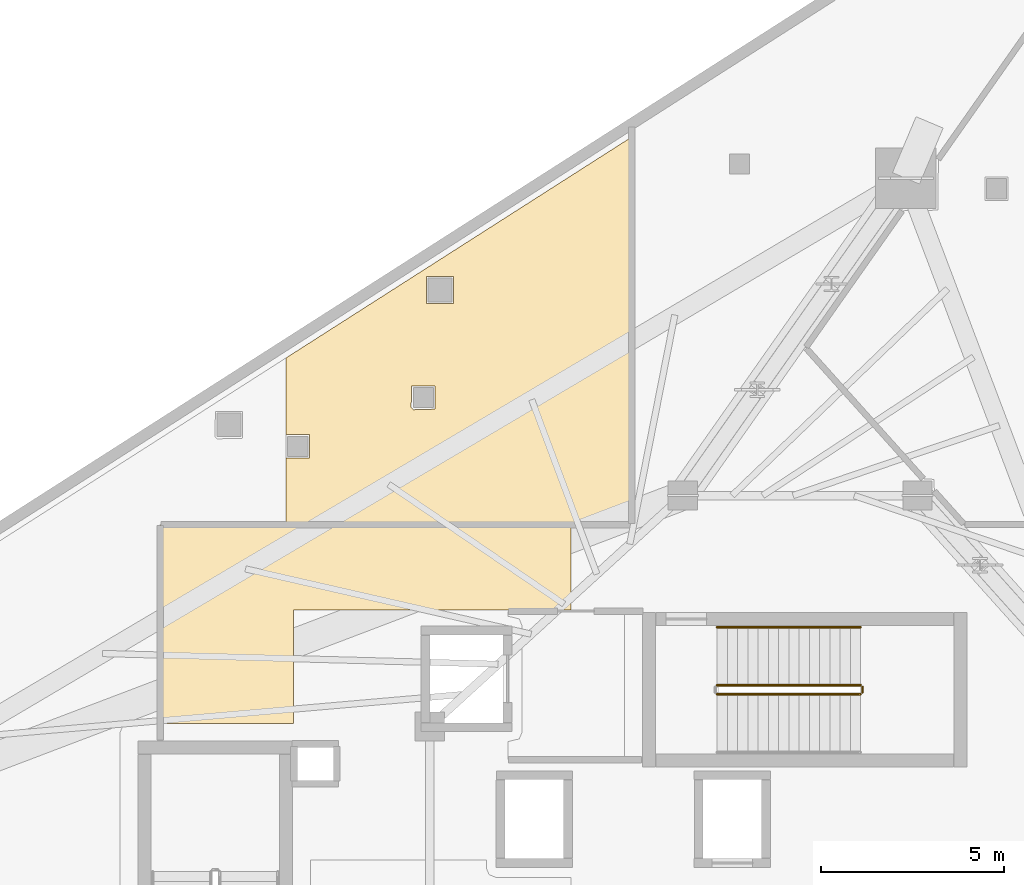
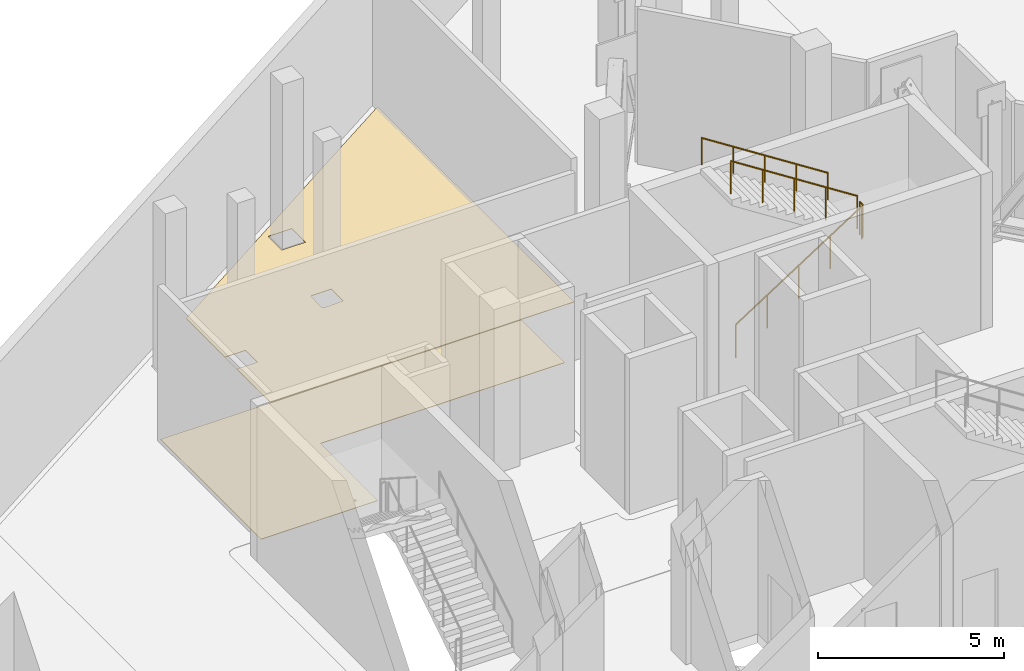
# One storey, part 8 of 9: 4 railings, 2 coverings.
"""IFC4 building model written with IfcOpenShell, lengths in metres."""

from ifc_helpers import new_model, si_unit, direction, frame, origin, origin_2d, place, context, subcontext, project, spatial, polyline, circle, outline, extrude, material, layer, layer_set, type_object, element, save


model = new_model("IFC4")

# Units and contexts
model_context = context("Model", 3, precision=1e-05, world=origin(), true_north=direction((0.0, 1.0)))
body_context = subcontext(model_context, "Body", "Model", "MODEL_VIEW")
ifc_project = project(units=[si_unit("LENGTHUNIT", "METRE"), si_unit("AREAUNIT", "SQUARE_METRE"), si_unit("VOLUMEUNIT", "CUBIC_METRE"), si_unit("PLANEANGLEUNIT", "RADIAN"), si_unit("MASSUNIT", "GRAM", prefix="KILO")], contexts=[model_context])

# Site, building, storey
site_placement = place(None, origin())
site = spatial("IfcSite", under=ifc_project, at=site_placement, CompositionType="ELEMENT")
building_placement = place(site_placement, origin())
building = spatial("IfcBuilding", under=site, at=building_placement, Name="Qorvath Tower", CompositionType="ELEMENT")
storey_placement = place(building_placement, frame((0.0, 0.0, 249.60009765625)))
storey = spatial("IfcBuildingStorey", under=building, at=storey_placement, Name="L58", CompositionType="ELEMENT", Elevation=249.60009765625)

# Coverings
ifc_material_1 = material(Name="Low-VOC modular carpet tile", Category="textile")
ifc_layer_1 = layer(ifc_material_1, 0.014892578125)
ifc_layer_set_1 = layer_set([ifc_layer_1], Name="COV-FLOOR-CPT")
covering_type_1 = type_object("IfcCoveringType", Name="COV-FLOOR-CPT", PredefinedType="FLOORING", material=ifc_layer_set_1)
covering_1_placement = place(storey_placement, origin())
element("IfcCovering", 1, at=covering_1_placement, inside=storey, type_object=covering_type_1, Name="L58 Floor Finish 008", PredefinedType="FLOORING", context=body_context, shape_type="SweptSolid", body=[
    extrude(outline(polyline([(-34.425537109375, 15.202392578125), (-34.425537109375, 10.6630859375), (-25.0048828125, 10.6630859375), (-25.0048828125, 21.223388671875), (-34.425537109375, 15.202392578125)]), holes=[polyline([(-30.59228515625, 16.692138671875), (-30.59228515625, 17.427001953125), (-29.857421875, 17.427001953125), (-29.857421875, 16.692138671875), (-30.59228515625, 16.692138671875)]), polyline([(-31.01220703125, 13.849365234375), (-30.99462890625, 14.441650390625), (-30.35986328125, 14.441650390625), (-30.35986328125, 13.806884765625), (-30.9521484375, 13.789306640625), (-31.01220703125, 13.849365234375)]), polyline([(-34.421630859375, 12.47509765625), (-34.421630859375, 13.10986328125), (-33.786865234375, 13.10986328125), (-33.786865234375, 12.47509765625), (-34.421630859375, 12.47509765625)])]), origin(), (0.0, 0.0, 1.0), 0.014892578125),
])
ifc_material_2 = material(Name="Polished epoxy terrazzo flooring", Category="concrete")
ifc_layer_2 = layer(ifc_material_2, 0.02001953125)
ifc_layer_set_2 = layer_set([ifc_layer_2], Name="COV-FLOOR-TRZ")
covering_type_2 = type_object("IfcCoveringType", Name="COV-FLOOR-TRZ", PredefinedType="FLOORING", material=ifc_layer_set_2)
covering_2_placement = place(storey_placement, origin())
element("IfcCovering", 2, at=covering_2_placement, inside=storey, type_object=covering_type_2, Name="L58 Floor Finish 004", PredefinedType="FLOORING", context=body_context, shape_type="SweptSolid", body=[
    extrude(outline(polyline([(-26.647705078125, 8.324951171875), (-26.647705078125, 10.64501953125), (-37.844970703125, 10.64501953125), (-37.844970703125, 5.239990234375), (-34.22509765625, 5.239990234375), (-34.219970703125, 8.324951171875), (-26.647705078125, 8.324951171875)])), origin(), (0.0, 0.0, 1.0), 0.014892578125),
])

# Railings
ifc_material_3 = material(Name="Painted galvanised steel", Category="steel")
railing_type_1 = type_object("IfcRailingType", Name="RL-STR-GRD", PredefinedType="GUARDRAIL", material=ifc_material_3)
railing_1_placement = place(storey_placement, frame((-22.669921875, 6.030029296875, 0.179931640625)))
element("IfcRailing", 3, at=railing_1_placement, inside=storey, type_object=railing_type_1, Name="L58 TS1 stair guard 1", PredefinedType="GUARDRAIL", context=body_context, shape_type="SweptSolid", body=[
    extrude(circle(Radius=0.02392578125, at=origin_2d()), frame((0.0, 0.0, 1.076171875), z_axis=(0.841171666519, 0.0, 0.540768182723), x_axis=(0.0, 1.0, 0.0)), (0.0, 0.0, 1.0), 4.66015625),
    extrude(circle(Radius=0.02099609375, at=origin_2d()), origin(), (0.0, 0.0, 1.0), 1.052001953125),
    extrude(circle(Radius=0.02099609375, at=origin_2d()), frame((0.97998046875, 0.0, 0.6298828125)), (0.0, 0.0, 1.0), 1.052001953125),
    extrude(circle(Radius=0.02099609375, at=origin_2d()), frame((1.9599609375, 0.0, 1.260009765625)), (0.0, 0.0, 1.0), 1.052001953125),
    extrude(circle(Radius=0.02099609375, at=origin_2d()), frame((2.93994140625, 0.0, 1.89013671875)), (0.0, 0.0, 1.0), 1.052001953125),
    extrude(circle(Radius=0.02099609375, at=origin_2d()), frame((3.919921875, 0.0, 2.52001953125)), (0.0, 0.0, 1.0), 1.052001953125),
])
railing_2_placement = place(storey_placement, frame((-18.699951171875, 6.080078125, 2.699951171875)))
element("IfcRailing", 4, at=railing_2_placement, inside=storey, type_object=railing_type_1, Name="L58 TS1 stair guard 2", PredefinedType="GUARDRAIL", context=body_context, shape_type="SweptSolid", body=[
    extrude(circle(Radius=0.02392578125, at=origin_2d()), frame((0.0, 0.0, 1.076171875), z_axis=(0.0, 1.0, 0.0), x_axis=(-1.0, 0.0, 0.0)), (0.0, 0.0, 1.0), 0.14990234375),
    extrude(circle(Radius=0.02099609375, at=origin_2d()), origin(), (0.0, 0.0, 1.0), 1.052001953125),
    extrude(circle(Radius=0.02099609375, at=origin_2d()), frame((0.0, 0.14990234375, 0.0)), (0.0, 0.0, 1.0), 1.052001953125),
])
railing_3_placement = place(storey_placement, frame((-18.75, 6.280029296875, 2.8798828125)))
element("IfcRailing", 5, at=railing_3_placement, inside=storey, type_object=railing_type_1, Name="L58 TS1 stair guard 3", PredefinedType="GUARDRAIL", context=body_context, shape_type="SweptSolid", body=[
    extrude(circle(Radius=0.02392578125, at=origin_2d()), frame((0.0, 0.0, 1.076171875), z_axis=(-0.841171666519, 0.0, 0.540768182723), x_axis=(0.0, -1.0, 0.0)), (0.0, 0.0, 1.0), 4.66015625),
    extrude(circle(Radius=0.02099609375, at=origin_2d()), origin(), (0.0, 0.0, 1.0), 1.052001953125),
    extrude(circle(Radius=0.02099609375, at=origin_2d()), frame((-0.97998046875, 0.0, 0.6298828125)), (0.0, 0.0, 1.0), 1.052001953125),
    extrude(circle(Radius=0.02099609375, at=origin_2d()), frame((-1.9599609375, 0.0, 1.260009765625)), (0.0, 0.0, 1.0), 1.052001953125),
    extrude(circle(Radius=0.02099609375, at=origin_2d()), frame((-2.93994140625, 0.0, 1.89013671875)), (0.0, 0.0, 1.0), 1.052001953125),
    extrude(circle(Radius=0.02099609375, at=origin_2d()), frame((-3.919921875, 0.0, 2.52001953125)), (0.0, 0.0, 1.0), 1.052001953125),
])
ifc_material_4 = material(Name="Brushed stainless steel AISI 304", Category="steel")
railing_type_2 = type_object("IfcRailingType", Name="RL-STR-HND", PredefinedType="HANDRAIL", material=ifc_material_4)
railing_4_placement = place(storey_placement, frame((-18.75, 7.860107421875, 2.8798828125)))
element("IfcRailing", 6, at=railing_4_placement, inside=storey, type_object=railing_type_2, Name="L58 TS1 stair handrail 2", PredefinedType="HANDRAIL", context=body_context, shape_type="SweptSolid", body=[
    extrude(circle(Radius=0.02392578125, at=origin_2d()), frame((0.0, 0.0, 0.8759765625), z_axis=(-0.841171666519, 0.0, 0.540768182723), x_axis=(0.0, -1.0, 0.0)), (0.0, 0.0, 1.0), 4.66015625),
    extrude(circle(Radius=0.02099609375, at=origin_2d()), origin(), (0.0, 0.0, 1.0), 0.851806640625),
    extrude(circle(Radius=0.02099609375, at=origin_2d()), frame((-0.97998046875, 0.0, 0.6298828125)), (0.0, 0.0, 1.0), 0.851806640625),
    extrude(circle(Radius=0.02099609375, at=origin_2d()), frame((-1.9599609375, 0.0, 1.260009765625)), (0.0, 0.0, 1.0), 0.851806640625),
    extrude(circle(Radius=0.02099609375, at=origin_2d()), frame((-2.93994140625, 0.0, 1.89013671875)), (0.0, 0.0, 1.0), 0.851806640625),
    extrude(circle(Radius=0.02099609375, at=origin_2d()), frame((-3.919921875, 0.0, 2.52001953125)), (0.0, 0.0, 1.0), 0.851806640625),
])

save(model, "model.ifc")
